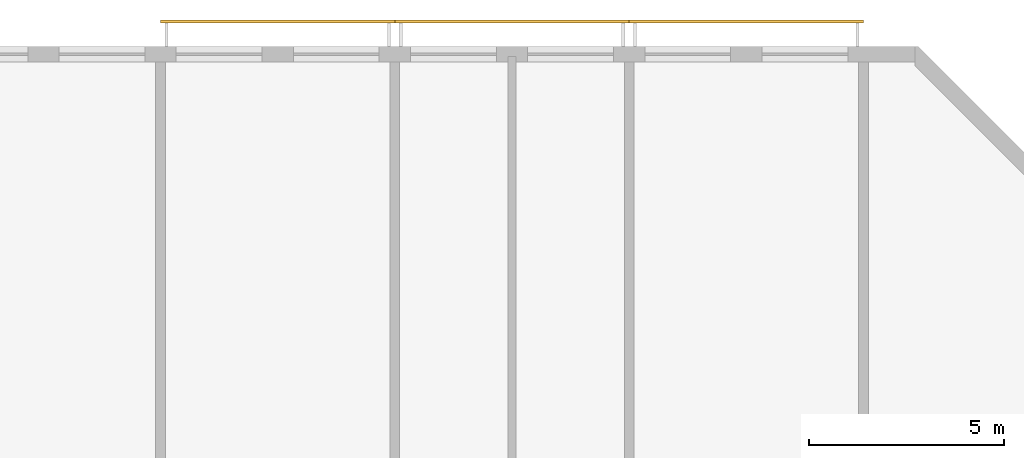
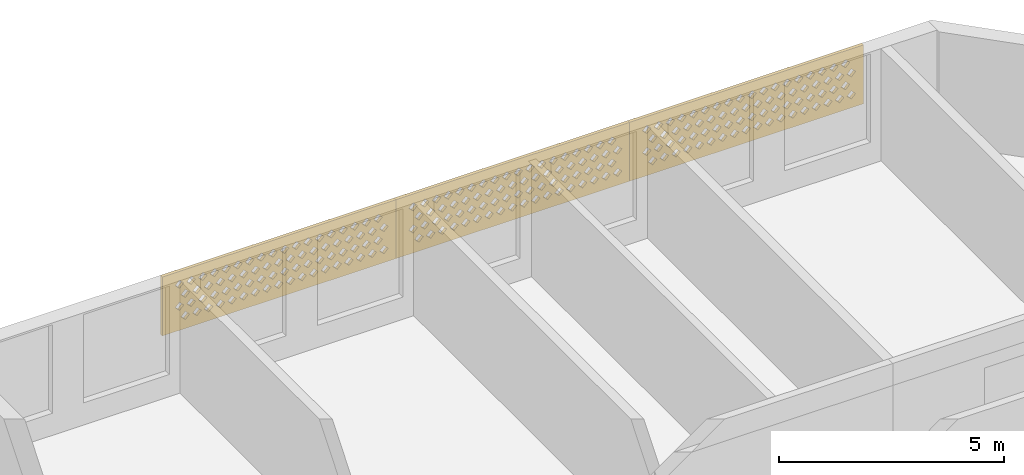
# One storey, part 17 of 18: 3 coverings.
"""IFC4 building model written with IfcOpenShell, lengths in metres."""

import ifcopenshell
import ifcopenshell.guid

model = None  # the IFC model being written
_history = None  # IfcOwnerHistory: only IFC2X3 demands one
_inside = {}  # id of a spatial element -> (the spatial element, [elements in it])
_under = {}  # id of a project, library or spatial element -> (it, [spatial elements below it])
_declared = {}  # id of a project -> (the project, [libraries it declares])
_typed = {}  # id of a type object -> (the type object, [elements of that type])
_made_of = {}  # id of a material, layer set ... -> (it, [elements and type objects made of it])


def new_model(schema):
    """Start an empty IFC model of exactly this schema.

    Asked for "IFC4X3", IfcOpenShell would pick the latest addendum, in which some entities
    have other attributes; the version numbers below select the first issue.
    IFC2X3 requires an IfcOwnerHistory on every rooted entity: one is made here for all.
    """
    global model, _history
    if schema == "IFC4X3":
        model = ifcopenshell.file(schema_version=(4, 3, 0, 0))
    else:
        model = ifcopenshell.file(schema=schema)
    _inside.clear()
    _under.clear()
    _declared.clear()
    _typed.clear()
    _made_of.clear()
    _history = None
    if model.schema == "IFC2X3":
        org = make("IfcOrganization", Name="unknown")
        user = make(
            "IfcPersonAndOrganization",
            ThePerson=make("IfcPerson", FamilyName="unknown"),
            TheOrganization=org,
        )
        app = make(
            "IfcApplication",
            ApplicationDeveloper=org,
            Version="unknown",
            ApplicationFullName="unknown",
            ApplicationIdentifier="unknown",
        )
        _history = make(
            "IfcOwnerHistory",
            OwningUser=user,
            OwningApplication=app,
            ChangeAction="ADDED",
            CreationDate=0,
        )
    return model


def make(cls, **values):
    """One entity of the class cls with the attributes given. An attribute that is None is left unset."""
    return model.create_entity(
        cls, **{name: value for name, value in values.items() if value is not None}
    )


def rooted(cls, **values):
    """An entity with a GlobalId (a new one), such as an element, a storey or a relation."""
    return make(cls, GlobalId=ifcopenshell.guid.new(), OwnerHistory=_history, **values)


def si_unit(unit_type, name, prefix=None):
    """IfcSIUnit, for example si_unit("LENGTHUNIT", "METRE", prefix="MILLI")."""
    return make("IfcSIUnit", UnitType=unit_type, Prefix=prefix, Name=name)


def assignment(units):
    """IfcUnitAssignment: the units of a project."""
    return None if units is None else make("IfcUnitAssignment", Units=units)


def point(xyz):
    """IfcCartesianPoint."""
    return None if xyz is None else make("IfcCartesianPoint", Coordinates=xyz)


def direction(xyz):
    """IfcDirection."""
    return None if xyz is None else make("IfcDirection", DirectionRatios=xyz)


def frame(location, z_axis=None, x_axis=None):
    """IfcAxis2Placement3D, a coordinate frame: its origin and axes. An axis left out is left unset."""
    return make(
        "IfcAxis2Placement3D",
        Location=point(location),
        Axis=direction(z_axis),
        RefDirection=direction(x_axis),
    )


def origin():
    """The frame at (0, 0, 0) with its axes left unset."""
    return frame((0.0, 0.0, 0.0))


def place(relative_to, where):
    """IfcLocalPlacement: puts the frame where relative to a parent placement (None: the world)."""
    return make(
        "IfcLocalPlacement", PlacementRelTo=relative_to, RelativePlacement=where
    )


def context(
    kind, dimensions, precision=None, world=None, true_north=None, identifier=None
):
    """IfcGeometricRepresentationContext, for example the 3D "Model" context."""
    return make(
        "IfcGeometricRepresentationContext",
        ContextIdentifier=identifier,
        ContextType=kind,
        CoordinateSpaceDimension=dimensions,
        Precision=precision,
        WorldCoordinateSystem=world,
        TrueNorth=true_north,
    )


def subcontext(parent, identifier, kind, view, scale=None):
    """IfcGeometricRepresentationSubContext, for example "Body" below "Model"."""
    return make(
        "IfcGeometricRepresentationSubContext",
        ContextIdentifier=identifier,
        ContextType=kind,
        ParentContext=parent,
        TargetScale=scale,
        TargetView=view,
    )


def project(units=None, contexts=None):
    """IfcProject with its units and contexts."""
    return rooted(
        "IfcProject",
        Name="project",
        RepresentationContexts=contexts,
        UnitsInContext=assignment(units),
    )


def spatial(cls, under=None, at=None, **own):
    """A site, building, storey or space (cls), placed at a placement, below another one or the project."""
    s = rooted(cls, ObjectPlacement=at, **own)
    if under is not None:
        _under.setdefault(under.id(), (under, []))[1].append(s)
    return s


def polyline(points):
    """IfcPolyline through the points."""
    return make("IfcPolyline", Points=[point(p) for p in points])


def outline(outer, holes=None, kind="AREA"):
    """IfcArbitraryClosedProfileDef: a profile drawn as a closed curve; with holes, ...WithVoids."""
    if holes is None:
        return make("IfcArbitraryClosedProfileDef", ProfileType=kind, OuterCurve=outer)
    return make(
        "IfcArbitraryProfileDefWithVoids",
        ProfileType=kind,
        OuterCurve=outer,
        InnerCurves=holes,
    )


def extrude(swept, where, along, depth):
    """IfcExtrudedAreaSolid: the profile swept, set in the frame where, extruded along a direction by depth."""
    return make(
        "IfcExtrudedAreaSolid",
        SweptArea=swept,
        Position=where,
        ExtrudedDirection=direction(along),
        Depth=depth,
    )


def shape(context_of_items, identifier, shape_type, items):
    """IfcShapeRepresentation: the items that make up one representation, for example the "Body"."""
    return make(
        "IfcShapeRepresentation",
        ContextOfItems=context_of_items,
        RepresentationIdentifier=identifier,
        RepresentationType=shape_type,
        Items=items,
    )


def source(mapping_origin, context_of_items, identifier, shape_type, items):
    """IfcRepresentationMap: a shape defined once, which mapped items show again and again."""
    return make(
        "IfcRepresentationMap",
        MappingOrigin=mapping_origin,
        MappedRepresentation=shape(context_of_items, identifier, shape_type, items),
    )


def transform(
    local_origin,
    x_axis=None,
    y_axis=None,
    z_axis=None,
    scale=None,
    scale2=None,
    scale3=None,
    uniform=True,
):
    """IfcCartesianTransformationOperator3D, or its non-uniform kind. x_axis, y_axis, z_axis: its Axis1, 2, 3."""
    if uniform:
        return make(
            "IfcCartesianTransformationOperator3D",
            Axis1=direction(x_axis),
            Axis2=direction(y_axis),
            LocalOrigin=point(local_origin),
            Scale=scale,
            Axis3=direction(z_axis),
        )
    return make(
        "IfcCartesianTransformationOperator3DnonUniform",
        Axis1=direction(x_axis),
        Axis2=direction(y_axis),
        LocalOrigin=point(local_origin),
        Scale=scale,
        Axis3=direction(z_axis),
        Scale2=scale2,
        Scale3=scale3,
    )


def mapped(mapping_source, mapping_target):
    """IfcMappedItem: shows the shape of a source again, moved by a transform."""
    return make(
        "IfcMappedItem", MappingSource=mapping_source, MappingTarget=mapping_target
    )


def material(Name=None, Category=None):
    """IfcMaterial."""
    return make("IfcMaterial", Name=Name, Category=Category)


def material_profile(
    of_material, cross_section, Name=None, Category=None, Priority=None
):
    """IfcMaterialProfile: a cross section and its material."""
    return make(
        "IfcMaterialProfile",
        Name=Name,
        Material=of_material,
        Profile=cross_section,
        Priority=Priority,
        Category=Category,
    )


def profile_set(profiles, Name=None, composite=None):
    """IfcMaterialProfileSet."""
    return make(
        "IfcMaterialProfileSet",
        Name=Name,
        MaterialProfiles=profiles,
        CompositeProfile=composite,
    )


def made_of(thing, what):
    """Note that an element or type object is made of a material, layer set ...; save() writes the relation."""
    if what is not None:
        _made_of.setdefault(what.id(), (what, []))[1].append(thing)
    return thing


def type_object(cls, material=None, **own):
    """A type object (cls), such as IfcWallType, which elements share."""
    return made_of(rooted(cls, **own), material)


def element(
    cls,
    number,
    at=None,
    inside=None,
    cuts=None,
    type_object=None,
    material=None,
    context=None,
    identifier="Body",
    shape_type=None,
    held_by="IfcProductDefinitionShape",
    body=None,
    shapes=None,
    **own,
):
    """One element of the class cls, such as IfcWall. Its Tag is "e" and its number.

    at: its placement. inside: the storey or other place that contains it. cuts: it is an
    opening in that element (IfcRelVoidsElement). A single representation is given by context,
    identifier, shape_type and body (its items); several are given by shapes. held_by: the class
    of the entity that holds the representations. save() writes the other relations.
    """
    e = rooted(cls, Tag="e%d" % number, ObjectPlacement=at, **own)
    if body is not None:
        shapes = [shape(context, identifier, shape_type, body)]
    if shapes is not None:
        e.Representation = make(held_by, Representations=shapes)
    if inside is not None:
        _inside.setdefault(inside.id(), (inside, []))[1].append(e)
    if cuts is not None:
        rooted(
            "IfcRelVoidsElement", RelatingBuildingElement=cuts, RelatedOpeningElement=e
        )
    if type_object is not None:
        _typed.setdefault(type_object.id(), (type_object, []))[1].append(e)
    return made_of(e, material)


def aggregate(whole, parts):
    """IfcRelAggregates: a whole, such as a stair, and the parts it consists of."""
    return rooted("IfcRelAggregates", RelatingObject=whole, RelatedObjects=parts)


def save(model, path):
    """Write the relations noted so far, then the file.

    IfcRelAggregates (storeys below a building ...), IfcRelContainedInSpatialStructure (elements
    in a storey), IfcRelDefinesByType, IfcRelAssociatesMaterial and IfcRelDeclares: one each for
    every whole, place, type object, material and project.
    """
    for whole, parts in _under.values():
        aggregate(whole, parts)
    for where, things in _inside.values():
        rooted(
            "IfcRelContainedInSpatialStructure",
            RelatedElements=things,
            RelatingStructure=where,
        )
    for kind, things in _typed.values():
        rooted("IfcRelDefinesByType", RelatedObjects=things, RelatingType=kind)
    for what, things in _made_of.values():
        rooted("IfcRelAssociatesMaterial", RelatedObjects=things, RelatingMaterial=what)
    for by, libraries in _declared.values():
        rooted("IfcRelDeclares", RelatingContext=by, RelatedDefinitions=libraries)
    model.write(path)


model = new_model("IFC4")

# Units and contexts
model_context = context("Model", 3, precision=1e-05, world=origin(), true_north=direction((0.0, 1.0)))
body_context = subcontext(model_context, "Body", "Model", "MODEL_VIEW")
ifc_project = project(units=[si_unit("LENGTHUNIT", "METRE"), si_unit("AREAUNIT", "SQUARE_METRE"), si_unit("VOLUMEUNIT", "CUBIC_METRE"), si_unit("PLANEANGLEUNIT", "RADIAN"), si_unit("MASSUNIT", "GRAM", prefix="KILO")], contexts=[model_context])

# Site, building, storey
site_placement = place(None, origin())
site = spatial("IfcSite", under=ifc_project, at=site_placement, CompositionType="ELEMENT")
building_placement = place(site_placement, origin())
building = spatial("IfcBuilding", under=site, at=building_placement, Name="Poui Terraces", CompositionType="ELEMENT")
storey_placement = place(building_placement, frame((0.0, 0.0, 272.39990234375)))
storey = spatial("IfcBuildingStorey", under=building, at=storey_placement, Name="L75 CROWN", CompositionType="ELEMENT", Elevation=272.39990234375)

# Coverings
ifc_material = material(Name="Terracotta screen", Category="masonry")
ifc_material_profile = material_profile(ifc_material, outline(polyline([(-3.0, -0.800048828125), (3.0, -0.800048828125), (3.0, 0.800048828125), (-3.0, 0.800048828125), (-3.0, -0.800048828125)]), holes=[polyline([(-2.800048828125, -0.449951171875), (-2.68994140625, -0.56005859375), (-2.580078125, -0.449951171875), (-2.68994140625, -0.340087890625), (-2.800048828125, -0.449951171875)]), polyline([(-2.5, -0.449951171875), (-2.389892578125, -0.56005859375), (-2.280029296875, -0.449951171875), (-2.389892578125, -0.340087890625), (-2.5, -0.449951171875)]), polyline([(-2.199951171875, -0.449951171875), (-2.090087890625, -0.56005859375), (-1.97998046875, -0.449951171875), (-2.090087890625, -0.340087890625), (-2.199951171875, -0.449951171875)]), polyline([(-1.89990234375, -0.449951171875), (-1.7900390625, -0.56005859375), (-1.679931640625, -0.449951171875), (-1.7900390625, -0.340087890625), (-1.89990234375, -0.449951171875)]), polyline([(-1.60009765625, -0.449951171875), (-1.489990234375, -0.56005859375), (-1.3798828125, -0.449951171875), (-1.489990234375, -0.340087890625), (-1.60009765625, -0.449951171875)]), polyline([(-1.300048828125, -0.449951171875), (-1.18994140625, -0.56005859375), (-1.080078125, -0.449951171875), (-1.18994140625, -0.340087890625), (-1.300048828125, -0.449951171875)]), polyline([(-1.0, -0.449951171875), (-0.889892578125, -0.56005859375), (-0.780029296875, -0.449951171875), (-0.889892578125, -0.340087890625), (-1.0, -0.449951171875)]), polyline([(-0.699951171875, -0.449951171875), (-0.590087890625, -0.56005859375), (-0.47998046875, -0.449951171875), (-0.590087890625, -0.340087890625), (-0.699951171875, -0.449951171875)]), polyline([(-0.39990234375, -0.449951171875), (-0.2900390625, -0.56005859375), (-0.179931640625, -0.449951171875), (-0.2900390625, -0.340087890625), (-0.39990234375, -0.449951171875)]), polyline([(-0.10009765625, -0.449951171875), (0.010009765625, -0.56005859375), (0.1201171875, -0.449951171875), (0.010009765625, -0.340087890625), (-0.10009765625, -0.449951171875)]), polyline([(0.199951171875, -0.449951171875), (0.31005859375, -0.56005859375), (0.419921875, -0.449951171875), (0.31005859375, -0.340087890625), (0.199951171875, -0.449951171875)]), polyline([(0.5, -0.449951171875), (0.610107421875, -0.56005859375), (0.719970703125, -0.449951171875), (0.610107421875, -0.340087890625), (0.5, -0.449951171875)]), polyline([(0.800048828125, -0.449951171875), (0.909912109375, -0.56005859375), (1.02001953125, -0.449951171875), (0.909912109375, -0.340087890625), (0.800048828125, -0.449951171875)]), polyline([(1.10009765625, -0.449951171875), (1.2099609375, -0.56005859375), (1.320068359375, -0.449951171875), (1.2099609375, -0.340087890625), (1.10009765625, -0.449951171875)]), polyline([(1.39990234375, -0.449951171875), (1.510009765625, -0.56005859375), (1.6201171875, -0.449951171875), (1.510009765625, -0.340087890625), (1.39990234375, -0.449951171875)]), polyline([(1.699951171875, -0.449951171875), (1.81005859375, -0.56005859375), (1.919921875, -0.449951171875), (1.81005859375, -0.340087890625), (1.699951171875, -0.449951171875)]), polyline([(2.0, -0.449951171875), (2.110107421875, -0.56005859375), (2.219970703125, -0.449951171875), (2.110107421875, -0.340087890625), (2.0, -0.449951171875)]), polyline([(2.300048828125, -0.449951171875), (2.409912109375, -0.56005859375), (2.52001953125, -0.449951171875), (2.409912109375, -0.340087890625), (2.300048828125, -0.449951171875)]), polyline([(-2.64990234375, -0.14990234375), (-2.5400390625, -0.260009765625), (-2.429931640625, -0.14990234375), (-2.5400390625, -0.0400390625), (-2.64990234375, -0.14990234375)]), polyline([(-2.35009765625, -0.14990234375), (-2.239990234375, -0.260009765625), (-2.1298828125, -0.14990234375), (-2.239990234375, -0.0400390625), (-2.35009765625, -0.14990234375)]), polyline([(-2.050048828125, -0.14990234375), (-1.93994140625, -0.260009765625), (-1.830078125, -0.14990234375), (-1.93994140625, -0.0400390625), (-2.050048828125, -0.14990234375)]), polyline([(-1.75, -0.14990234375), (-1.639892578125, -0.260009765625), (-1.530029296875, -0.14990234375), (-1.639892578125, -0.0400390625), (-1.75, -0.14990234375)]), polyline([(-1.449951171875, -0.14990234375), (-1.340087890625, -0.260009765625), (-1.22998046875, -0.14990234375), (-1.340087890625, -0.0400390625), (-1.449951171875, -0.14990234375)]), polyline([(-1.14990234375, -0.14990234375), (-1.0400390625, -0.260009765625), (-0.929931640625, -0.14990234375), (-1.0400390625, -0.0400390625), (-1.14990234375, -0.14990234375)]), polyline([(-0.85009765625, -0.14990234375), (-0.739990234375, -0.260009765625), (-0.6298828125, -0.14990234375), (-0.739990234375, -0.0400390625), (-0.85009765625, -0.14990234375)]), polyline([(-0.550048828125, -0.14990234375), (-0.43994140625, -0.260009765625), (-0.330078125, -0.14990234375), (-0.43994140625, -0.0400390625), (-0.550048828125, -0.14990234375)]), polyline([(-0.25, -0.14990234375), (-0.139892578125, -0.260009765625), (-0.030029296875, -0.14990234375), (-0.139892578125, -0.0400390625), (-0.25, -0.14990234375)]), polyline([(0.050048828125, -0.14990234375), (0.159912109375, -0.260009765625), (0.27001953125, -0.14990234375), (0.159912109375, -0.0400390625), (0.050048828125, -0.14990234375)]), polyline([(0.35009765625, -0.14990234375), (0.4599609375, -0.260009765625), (0.570068359375, -0.14990234375), (0.4599609375, -0.0400390625), (0.35009765625, -0.14990234375)]), polyline([(0.64990234375, -0.14990234375), (0.760009765625, -0.260009765625), (0.8701171875, -0.14990234375), (0.760009765625, -0.0400390625), (0.64990234375, -0.14990234375)]), polyline([(0.949951171875, -0.14990234375), (1.06005859375, -0.260009765625), (1.169921875, -0.14990234375), (1.06005859375, -0.0400390625), (0.949951171875, -0.14990234375)]), polyline([(1.25, -0.14990234375), (1.360107421875, -0.260009765625), (1.469970703125, -0.14990234375), (1.360107421875, -0.0400390625), (1.25, -0.14990234375)]), polyline([(1.550048828125, -0.14990234375), (1.659912109375, -0.260009765625), (1.77001953125, -0.14990234375), (1.659912109375, -0.0400390625), (1.550048828125, -0.14990234375)]), polyline([(1.85009765625, -0.14990234375), (1.9599609375, -0.260009765625), (2.070068359375, -0.14990234375), (1.9599609375, -0.0400390625), (1.85009765625, -0.14990234375)]), polyline([(2.14990234375, -0.14990234375), (2.260009765625, -0.260009765625), (2.3701171875, -0.14990234375), (2.260009765625, -0.0400390625), (2.14990234375, -0.14990234375)]), polyline([(2.449951171875, -0.14990234375), (2.56005859375, -0.260009765625), (2.669921875, -0.14990234375), (2.56005859375, -0.0400390625), (2.449951171875, -0.14990234375)]), polyline([(-2.800048828125, 0.14990234375), (-2.68994140625, 0.0400390625), (-2.580078125, 0.14990234375), (-2.68994140625, 0.260009765625), (-2.800048828125, 0.14990234375)]), polyline([(-2.5, 0.14990234375), (-2.389892578125, 0.0400390625), (-2.280029296875, 0.14990234375), (-2.389892578125, 0.260009765625), (-2.5, 0.14990234375)]), polyline([(-2.199951171875, 0.14990234375), (-2.090087890625, 0.0400390625), (-1.97998046875, 0.14990234375), (-2.090087890625, 0.260009765625), (-2.199951171875, 0.14990234375)]), polyline([(-1.89990234375, 0.14990234375), (-1.7900390625, 0.0400390625), (-1.679931640625, 0.14990234375), (-1.7900390625, 0.260009765625), (-1.89990234375, 0.14990234375)]), polyline([(-1.60009765625, 0.14990234375), (-1.489990234375, 0.0400390625), (-1.3798828125, 0.14990234375), (-1.489990234375, 0.260009765625), (-1.60009765625, 0.14990234375)]), polyline([(-1.300048828125, 0.14990234375), (-1.18994140625, 0.0400390625), (-1.080078125, 0.14990234375), (-1.18994140625, 0.260009765625), (-1.300048828125, 0.14990234375)]), polyline([(-1.0, 0.14990234375), (-0.889892578125, 0.0400390625), (-0.780029296875, 0.14990234375), (-0.889892578125, 0.260009765625), (-1.0, 0.14990234375)]), polyline([(-0.699951171875, 0.14990234375), (-0.590087890625, 0.0400390625), (-0.47998046875, 0.14990234375), (-0.590087890625, 0.260009765625), (-0.699951171875, 0.14990234375)]), polyline([(-0.39990234375, 0.14990234375), (-0.2900390625, 0.0400390625), (-0.179931640625, 0.14990234375), (-0.2900390625, 0.260009765625), (-0.39990234375, 0.14990234375)]), polyline([(-0.10009765625, 0.14990234375), (0.010009765625, 0.0400390625), (0.1201171875, 0.14990234375), (0.010009765625, 0.260009765625), (-0.10009765625, 0.14990234375)]), polyline([(0.199951171875, 0.14990234375), (0.31005859375, 0.0400390625), (0.419921875, 0.14990234375), (0.31005859375, 0.260009765625), (0.199951171875, 0.14990234375)]), polyline([(0.5, 0.14990234375), (0.610107421875, 0.0400390625), (0.719970703125, 0.14990234375), (0.610107421875, 0.260009765625), (0.5, 0.14990234375)]), polyline([(0.800048828125, 0.14990234375), (0.909912109375, 0.0400390625), (1.02001953125, 0.14990234375), (0.909912109375, 0.260009765625), (0.800048828125, 0.14990234375)]), polyline([(1.10009765625, 0.14990234375), (1.2099609375, 0.0400390625), (1.320068359375, 0.14990234375), (1.2099609375, 0.260009765625), (1.10009765625, 0.14990234375)]), polyline([(1.39990234375, 0.14990234375), (1.510009765625, 0.0400390625), (1.6201171875, 0.14990234375), (1.510009765625, 0.260009765625), (1.39990234375, 0.14990234375)]), polyline([(1.699951171875, 0.14990234375), (1.81005859375, 0.0400390625), (1.919921875, 0.14990234375), (1.81005859375, 0.260009765625), (1.699951171875, 0.14990234375)]), polyline([(2.0, 0.14990234375), (2.110107421875, 0.0400390625), (2.219970703125, 0.14990234375), (2.110107421875, 0.260009765625), (2.0, 0.14990234375)]), polyline([(2.300048828125, 0.14990234375), (2.409912109375, 0.0400390625), (2.52001953125, 0.14990234375), (2.409912109375, 0.260009765625), (2.300048828125, 0.14990234375)]), polyline([(-2.64990234375, 0.449951171875), (-2.5400390625, 0.340087890625), (-2.429931640625, 0.449951171875), (-2.5400390625, 0.56005859375), (-2.64990234375, 0.449951171875)]), polyline([(-2.35009765625, 0.449951171875), (-2.239990234375, 0.340087890625), (-2.1298828125, 0.449951171875), (-2.239990234375, 0.56005859375), (-2.35009765625, 0.449951171875)]), polyline([(-2.050048828125, 0.449951171875), (-1.93994140625, 0.340087890625), (-1.830078125, 0.449951171875), (-1.93994140625, 0.56005859375), (-2.050048828125, 0.449951171875)]), polyline([(-1.75, 0.449951171875), (-1.639892578125, 0.340087890625), (-1.530029296875, 0.449951171875), (-1.639892578125, 0.56005859375), (-1.75, 0.449951171875)]), polyline([(-1.449951171875, 0.449951171875), (-1.340087890625, 0.340087890625), (-1.22998046875, 0.449951171875), (-1.340087890625, 0.56005859375), (-1.449951171875, 0.449951171875)]), polyline([(-1.14990234375, 0.449951171875), (-1.0400390625, 0.340087890625), (-0.929931640625, 0.449951171875), (-1.0400390625, 0.56005859375), (-1.14990234375, 0.449951171875)]), polyline([(-0.85009765625, 0.449951171875), (-0.739990234375, 0.340087890625), (-0.6298828125, 0.449951171875), (-0.739990234375, 0.56005859375), (-0.85009765625, 0.449951171875)]), polyline([(-0.550048828125, 0.449951171875), (-0.43994140625, 0.340087890625), (-0.330078125, 0.449951171875), (-0.43994140625, 0.56005859375), (-0.550048828125, 0.449951171875)]), polyline([(-0.25, 0.449951171875), (-0.139892578125, 0.340087890625), (-0.030029296875, 0.449951171875), (-0.139892578125, 0.56005859375), (-0.25, 0.449951171875)]), polyline([(0.050048828125, 0.449951171875), (0.159912109375, 0.340087890625), (0.27001953125, 0.449951171875), (0.159912109375, 0.56005859375), (0.050048828125, 0.449951171875)]), polyline([(0.35009765625, 0.449951171875), (0.4599609375, 0.340087890625), (0.570068359375, 0.449951171875), (0.4599609375, 0.56005859375), (0.35009765625, 0.449951171875)]), polyline([(0.64990234375, 0.449951171875), (0.760009765625, 0.340087890625), (0.8701171875, 0.449951171875), (0.760009765625, 0.56005859375), (0.64990234375, 0.449951171875)]), polyline([(0.949951171875, 0.449951171875), (1.06005859375, 0.340087890625), (1.169921875, 0.449951171875), (1.06005859375, 0.56005859375), (0.949951171875, 0.449951171875)]), polyline([(1.25, 0.449951171875), (1.360107421875, 0.340087890625), (1.469970703125, 0.449951171875), (1.360107421875, 0.56005859375), (1.25, 0.449951171875)]), polyline([(1.550048828125, 0.449951171875), (1.659912109375, 0.340087890625), (1.77001953125, 0.449951171875), (1.659912109375, 0.56005859375), (1.550048828125, 0.449951171875)]), polyline([(1.85009765625, 0.449951171875), (1.9599609375, 0.340087890625), (2.070068359375, 0.449951171875), (1.9599609375, 0.56005859375), (1.85009765625, 0.449951171875)]), polyline([(2.14990234375, 0.449951171875), (2.260009765625, 0.340087890625), (2.3701171875, 0.449951171875), (2.260009765625, 0.56005859375), (2.14990234375, 0.449951171875)]), polyline([(2.449951171875, 0.449951171875), (2.56005859375, 0.340087890625), (2.669921875, 0.449951171875), (2.56005859375, 0.56005859375), (2.449951171875, 0.449951171875)])]), Name="TERRACOTTA SOLAR SCREEN 6000X1600")
ifc_profile_set = profile_set([ifc_material_profile], Name="Terracotta screen")
covering_type = type_object("IfcCoveringType", Name="TERRACOTTA SOLAR SCREEN 6000X1600", PredefinedType="CLADDING", material=ifc_profile_set)
shared_shape = source(origin(), body_context, "Body", "SweptSolid", [
    extrude(outline(polyline([(-3.0, -0.800048828125), (3.0, -0.800048828125), (3.0, 0.800048828125), (-3.0, 0.800048828125), (-3.0, -0.800048828125)]), holes=[polyline([(-2.800048828125, -0.449951171875), (-2.68994140625, -0.56005859375), (-2.580078125, -0.449951171875), (-2.68994140625, -0.340087890625), (-2.800048828125, -0.449951171875)]), polyline([(-2.5, -0.449951171875), (-2.389892578125, -0.56005859375), (-2.280029296875, -0.449951171875), (-2.389892578125, -0.340087890625), (-2.5, -0.449951171875)]), polyline([(-2.199951171875, -0.449951171875), (-2.090087890625, -0.56005859375), (-1.97998046875, -0.449951171875), (-2.090087890625, -0.340087890625), (-2.199951171875, -0.449951171875)]), polyline([(-1.89990234375, -0.449951171875), (-1.7900390625, -0.56005859375), (-1.679931640625, -0.449951171875), (-1.7900390625, -0.340087890625), (-1.89990234375, -0.449951171875)]), polyline([(-1.60009765625, -0.449951171875), (-1.489990234375, -0.56005859375), (-1.3798828125, -0.449951171875), (-1.489990234375, -0.340087890625), (-1.60009765625, -0.449951171875)]), polyline([(-1.300048828125, -0.449951171875), (-1.18994140625, -0.56005859375), (-1.080078125, -0.449951171875), (-1.18994140625, -0.340087890625), (-1.300048828125, -0.449951171875)]), polyline([(-1.0, -0.449951171875), (-0.889892578125, -0.56005859375), (-0.780029296875, -0.449951171875), (-0.889892578125, -0.340087890625), (-1.0, -0.449951171875)]), polyline([(-0.699951171875, -0.449951171875), (-0.590087890625, -0.56005859375), (-0.47998046875, -0.449951171875), (-0.590087890625, -0.340087890625), (-0.699951171875, -0.449951171875)]), polyline([(-0.39990234375, -0.449951171875), (-0.2900390625, -0.56005859375), (-0.179931640625, -0.449951171875), (-0.2900390625, -0.340087890625), (-0.39990234375, -0.449951171875)]), polyline([(-0.10009765625, -0.449951171875), (0.010009765625, -0.56005859375), (0.1201171875, -0.449951171875), (0.010009765625, -0.340087890625), (-0.10009765625, -0.449951171875)]), polyline([(0.199951171875, -0.449951171875), (0.31005859375, -0.56005859375), (0.419921875, -0.449951171875), (0.31005859375, -0.340087890625), (0.199951171875, -0.449951171875)]), polyline([(0.5, -0.449951171875), (0.610107421875, -0.56005859375), (0.719970703125, -0.449951171875), (0.610107421875, -0.340087890625), (0.5, -0.449951171875)]), polyline([(0.800048828125, -0.449951171875), (0.909912109375, -0.56005859375), (1.02001953125, -0.449951171875), (0.909912109375, -0.340087890625), (0.800048828125, -0.449951171875)]), polyline([(1.10009765625, -0.449951171875), (1.2099609375, -0.56005859375), (1.320068359375, -0.449951171875), (1.2099609375, -0.340087890625), (1.10009765625, -0.449951171875)]), polyline([(1.39990234375, -0.449951171875), (1.510009765625, -0.56005859375), (1.6201171875, -0.449951171875), (1.510009765625, -0.340087890625), (1.39990234375, -0.449951171875)]), polyline([(1.699951171875, -0.449951171875), (1.81005859375, -0.56005859375), (1.919921875, -0.449951171875), (1.81005859375, -0.340087890625), (1.699951171875, -0.449951171875)]), polyline([(2.0, -0.449951171875), (2.110107421875, -0.56005859375), (2.219970703125, -0.449951171875), (2.110107421875, -0.340087890625), (2.0, -0.449951171875)]), polyline([(2.300048828125, -0.449951171875), (2.409912109375, -0.56005859375), (2.52001953125, -0.449951171875), (2.409912109375, -0.340087890625), (2.300048828125, -0.449951171875)]), polyline([(-2.64990234375, -0.14990234375), (-2.5400390625, -0.260009765625), (-2.429931640625, -0.14990234375), (-2.5400390625, -0.0400390625), (-2.64990234375, -0.14990234375)]), polyline([(-2.35009765625, -0.14990234375), (-2.239990234375, -0.260009765625), (-2.1298828125, -0.14990234375), (-2.239990234375, -0.0400390625), (-2.35009765625, -0.14990234375)]), polyline([(-2.050048828125, -0.14990234375), (-1.93994140625, -0.260009765625), (-1.830078125, -0.14990234375), (-1.93994140625, -0.0400390625), (-2.050048828125, -0.14990234375)]), polyline([(-1.75, -0.14990234375), (-1.639892578125, -0.260009765625), (-1.530029296875, -0.14990234375), (-1.639892578125, -0.0400390625), (-1.75, -0.14990234375)]), polyline([(-1.449951171875, -0.14990234375), (-1.340087890625, -0.260009765625), (-1.22998046875, -0.14990234375), (-1.340087890625, -0.0400390625), (-1.449951171875, -0.14990234375)]), polyline([(-1.14990234375, -0.14990234375), (-1.0400390625, -0.260009765625), (-0.929931640625, -0.14990234375), (-1.0400390625, -0.0400390625), (-1.14990234375, -0.14990234375)]), polyline([(-0.85009765625, -0.14990234375), (-0.739990234375, -0.260009765625), (-0.6298828125, -0.14990234375), (-0.739990234375, -0.0400390625), (-0.85009765625, -0.14990234375)]), polyline([(-0.550048828125, -0.14990234375), (-0.43994140625, -0.260009765625), (-0.330078125, -0.14990234375), (-0.43994140625, -0.0400390625), (-0.550048828125, -0.14990234375)]), polyline([(-0.25, -0.14990234375), (-0.139892578125, -0.260009765625), (-0.030029296875, -0.14990234375), (-0.139892578125, -0.0400390625), (-0.25, -0.14990234375)]), polyline([(0.050048828125, -0.14990234375), (0.159912109375, -0.260009765625), (0.27001953125, -0.14990234375), (0.159912109375, -0.0400390625), (0.050048828125, -0.14990234375)]), polyline([(0.35009765625, -0.14990234375), (0.4599609375, -0.260009765625), (0.570068359375, -0.14990234375), (0.4599609375, -0.0400390625), (0.35009765625, -0.14990234375)]), polyline([(0.64990234375, -0.14990234375), (0.760009765625, -0.260009765625), (0.8701171875, -0.14990234375), (0.760009765625, -0.0400390625), (0.64990234375, -0.14990234375)]), polyline([(0.949951171875, -0.14990234375), (1.06005859375, -0.260009765625), (1.169921875, -0.14990234375), (1.06005859375, -0.0400390625), (0.949951171875, -0.14990234375)]), polyline([(1.25, -0.14990234375), (1.360107421875, -0.260009765625), (1.469970703125, -0.14990234375), (1.360107421875, -0.0400390625), (1.25, -0.14990234375)]), polyline([(1.550048828125, -0.14990234375), (1.659912109375, -0.260009765625), (1.77001953125, -0.14990234375), (1.659912109375, -0.0400390625), (1.550048828125, -0.14990234375)]), polyline([(1.85009765625, -0.14990234375), (1.9599609375, -0.260009765625), (2.070068359375, -0.14990234375), (1.9599609375, -0.0400390625), (1.85009765625, -0.14990234375)]), polyline([(2.14990234375, -0.14990234375), (2.260009765625, -0.260009765625), (2.3701171875, -0.14990234375), (2.260009765625, -0.0400390625), (2.14990234375, -0.14990234375)]), polyline([(2.449951171875, -0.14990234375), (2.56005859375, -0.260009765625), (2.669921875, -0.14990234375), (2.56005859375, -0.0400390625), (2.449951171875, -0.14990234375)]), polyline([(-2.800048828125, 0.14990234375), (-2.68994140625, 0.0400390625), (-2.580078125, 0.14990234375), (-2.68994140625, 0.260009765625), (-2.800048828125, 0.14990234375)]), polyline([(-2.5, 0.14990234375), (-2.389892578125, 0.0400390625), (-2.280029296875, 0.14990234375), (-2.389892578125, 0.260009765625), (-2.5, 0.14990234375)]), polyline([(-2.199951171875, 0.14990234375), (-2.090087890625, 0.0400390625), (-1.97998046875, 0.14990234375), (-2.090087890625, 0.260009765625), (-2.199951171875, 0.14990234375)]), polyline([(-1.89990234375, 0.14990234375), (-1.7900390625, 0.0400390625), (-1.679931640625, 0.14990234375), (-1.7900390625, 0.260009765625), (-1.89990234375, 0.14990234375)]), polyline([(-1.60009765625, 0.14990234375), (-1.489990234375, 0.0400390625), (-1.3798828125, 0.14990234375), (-1.489990234375, 0.260009765625), (-1.60009765625, 0.14990234375)]), polyline([(-1.300048828125, 0.14990234375), (-1.18994140625, 0.0400390625), (-1.080078125, 0.14990234375), (-1.18994140625, 0.260009765625), (-1.300048828125, 0.14990234375)]), polyline([(-1.0, 0.14990234375), (-0.889892578125, 0.0400390625), (-0.780029296875, 0.14990234375), (-0.889892578125, 0.260009765625), (-1.0, 0.14990234375)]), polyline([(-0.699951171875, 0.14990234375), (-0.590087890625, 0.0400390625), (-0.47998046875, 0.14990234375), (-0.590087890625, 0.260009765625), (-0.699951171875, 0.14990234375)]), polyline([(-0.39990234375, 0.14990234375), (-0.2900390625, 0.0400390625), (-0.179931640625, 0.14990234375), (-0.2900390625, 0.260009765625), (-0.39990234375, 0.14990234375)]), polyline([(-0.10009765625, 0.14990234375), (0.010009765625, 0.0400390625), (0.1201171875, 0.14990234375), (0.010009765625, 0.260009765625), (-0.10009765625, 0.14990234375)]), polyline([(0.199951171875, 0.14990234375), (0.31005859375, 0.0400390625), (0.419921875, 0.14990234375), (0.31005859375, 0.260009765625), (0.199951171875, 0.14990234375)]), polyline([(0.5, 0.14990234375), (0.610107421875, 0.0400390625), (0.719970703125, 0.14990234375), (0.610107421875, 0.260009765625), (0.5, 0.14990234375)]), polyline([(0.800048828125, 0.14990234375), (0.909912109375, 0.0400390625), (1.02001953125, 0.14990234375), (0.909912109375, 0.260009765625), (0.800048828125, 0.14990234375)]), polyline([(1.10009765625, 0.14990234375), (1.2099609375, 0.0400390625), (1.320068359375, 0.14990234375), (1.2099609375, 0.260009765625), (1.10009765625, 0.14990234375)]), polyline([(1.39990234375, 0.14990234375), (1.510009765625, 0.0400390625), (1.6201171875, 0.14990234375), (1.510009765625, 0.260009765625), (1.39990234375, 0.14990234375)]), polyline([(1.699951171875, 0.14990234375), (1.81005859375, 0.0400390625), (1.919921875, 0.14990234375), (1.81005859375, 0.260009765625), (1.699951171875, 0.14990234375)]), polyline([(2.0, 0.14990234375), (2.110107421875, 0.0400390625), (2.219970703125, 0.14990234375), (2.110107421875, 0.260009765625), (2.0, 0.14990234375)]), polyline([(2.300048828125, 0.14990234375), (2.409912109375, 0.0400390625), (2.52001953125, 0.14990234375), (2.409912109375, 0.260009765625), (2.300048828125, 0.14990234375)]), polyline([(-2.64990234375, 0.449951171875), (-2.5400390625, 0.340087890625), (-2.429931640625, 0.449951171875), (-2.5400390625, 0.56005859375), (-2.64990234375, 0.449951171875)]), polyline([(-2.35009765625, 0.449951171875), (-2.239990234375, 0.340087890625), (-2.1298828125, 0.449951171875), (-2.239990234375, 0.56005859375), (-2.35009765625, 0.449951171875)]), polyline([(-2.050048828125, 0.449951171875), (-1.93994140625, 0.340087890625), (-1.830078125, 0.449951171875), (-1.93994140625, 0.56005859375), (-2.050048828125, 0.449951171875)]), polyline([(-1.75, 0.449951171875), (-1.639892578125, 0.340087890625), (-1.530029296875, 0.449951171875), (-1.639892578125, 0.56005859375), (-1.75, 0.449951171875)]), polyline([(-1.449951171875, 0.449951171875), (-1.340087890625, 0.340087890625), (-1.22998046875, 0.449951171875), (-1.340087890625, 0.56005859375), (-1.449951171875, 0.449951171875)]), polyline([(-1.14990234375, 0.449951171875), (-1.0400390625, 0.340087890625), (-0.929931640625, 0.449951171875), (-1.0400390625, 0.56005859375), (-1.14990234375, 0.449951171875)]), polyline([(-0.85009765625, 0.449951171875), (-0.739990234375, 0.340087890625), (-0.6298828125, 0.449951171875), (-0.739990234375, 0.56005859375), (-0.85009765625, 0.449951171875)]), polyline([(-0.550048828125, 0.449951171875), (-0.43994140625, 0.340087890625), (-0.330078125, 0.449951171875), (-0.43994140625, 0.56005859375), (-0.550048828125, 0.449951171875)]), polyline([(-0.25, 0.449951171875), (-0.139892578125, 0.340087890625), (-0.030029296875, 0.449951171875), (-0.139892578125, 0.56005859375), (-0.25, 0.449951171875)]), polyline([(0.050048828125, 0.449951171875), (0.159912109375, 0.340087890625), (0.27001953125, 0.449951171875), (0.159912109375, 0.56005859375), (0.050048828125, 0.449951171875)]), polyline([(0.35009765625, 0.449951171875), (0.4599609375, 0.340087890625), (0.570068359375, 0.449951171875), (0.4599609375, 0.56005859375), (0.35009765625, 0.449951171875)]), polyline([(0.64990234375, 0.449951171875), (0.760009765625, 0.340087890625), (0.8701171875, 0.449951171875), (0.760009765625, 0.56005859375), (0.64990234375, 0.449951171875)]), polyline([(0.949951171875, 0.449951171875), (1.06005859375, 0.340087890625), (1.169921875, 0.449951171875), (1.06005859375, 0.56005859375), (0.949951171875, 0.449951171875)]), polyline([(1.25, 0.449951171875), (1.360107421875, 0.340087890625), (1.469970703125, 0.449951171875), (1.360107421875, 0.56005859375), (1.25, 0.449951171875)]), polyline([(1.550048828125, 0.449951171875), (1.659912109375, 0.340087890625), (1.77001953125, 0.449951171875), (1.659912109375, 0.56005859375), (1.550048828125, 0.449951171875)]), polyline([(1.85009765625, 0.449951171875), (1.9599609375, 0.340087890625), (2.070068359375, 0.449951171875), (1.9599609375, 0.56005859375), (1.85009765625, 0.449951171875)]), polyline([(2.14990234375, 0.449951171875), (2.260009765625, 0.340087890625), (2.3701171875, 0.449951171875), (2.260009765625, 0.56005859375), (2.14990234375, 0.449951171875)]), polyline([(2.449951171875, 0.449951171875), (2.56005859375, 0.340087890625), (2.669921875, 0.449951171875), (2.56005859375, 0.56005859375), (2.449951171875, 0.449951171875)])]), origin(), (0.0, 0.0, 1.0), 0.080078125),
])
for number, where, z_axis, x_axis, name in (
    (1, (63.0, 42.0, 1.7001953125), (0.0, 1.0, 0.0), (-1.0, 0.0, 0.0), "SOLAR SCREEN"),
    (2, (69.0, 42.0, 1.7001953125), (0.0, 1.0, 0.0), (-1.0, 0.0, 0.0), "SOLAR SCREEN"),
    (3, (75.0, 42.0, 1.7001953125), (0.0, 1.0, 0.0), (-1.0, 0.0, 0.0), "SOLAR SCREEN"),
):
    element("IfcCovering", number, at=place(storey_placement, frame(where, z_axis=z_axis, x_axis=x_axis)), inside=storey, type_object=covering_type, Name=name, PredefinedType="CLADDING", context=body_context, shape_type="MappedRepresentation", body=[
        mapped(shared_shape, transform((0.0, 0.0, 0.0))),
    ])

save(model, "model.ifc")
